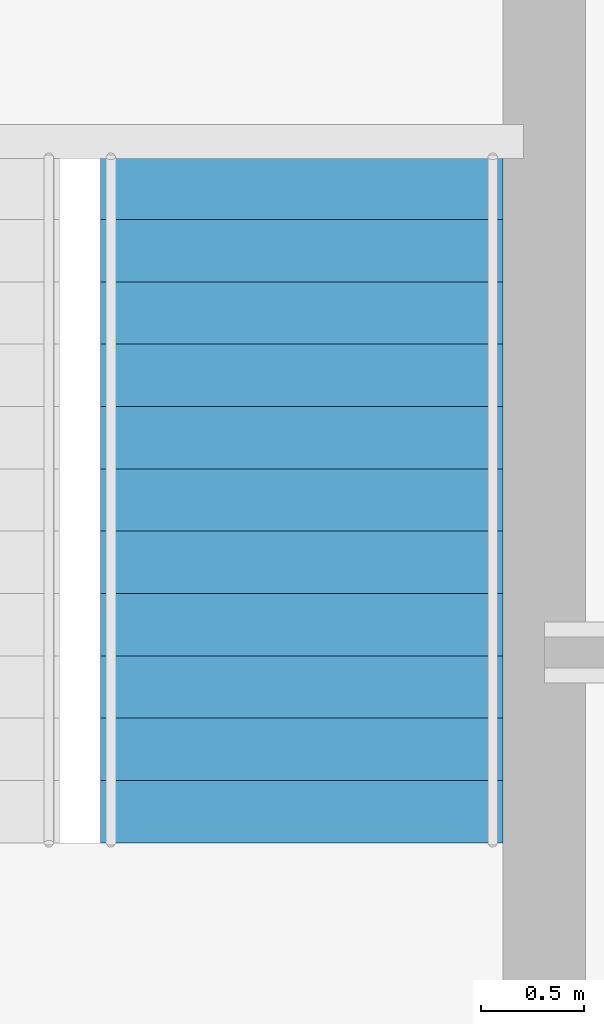
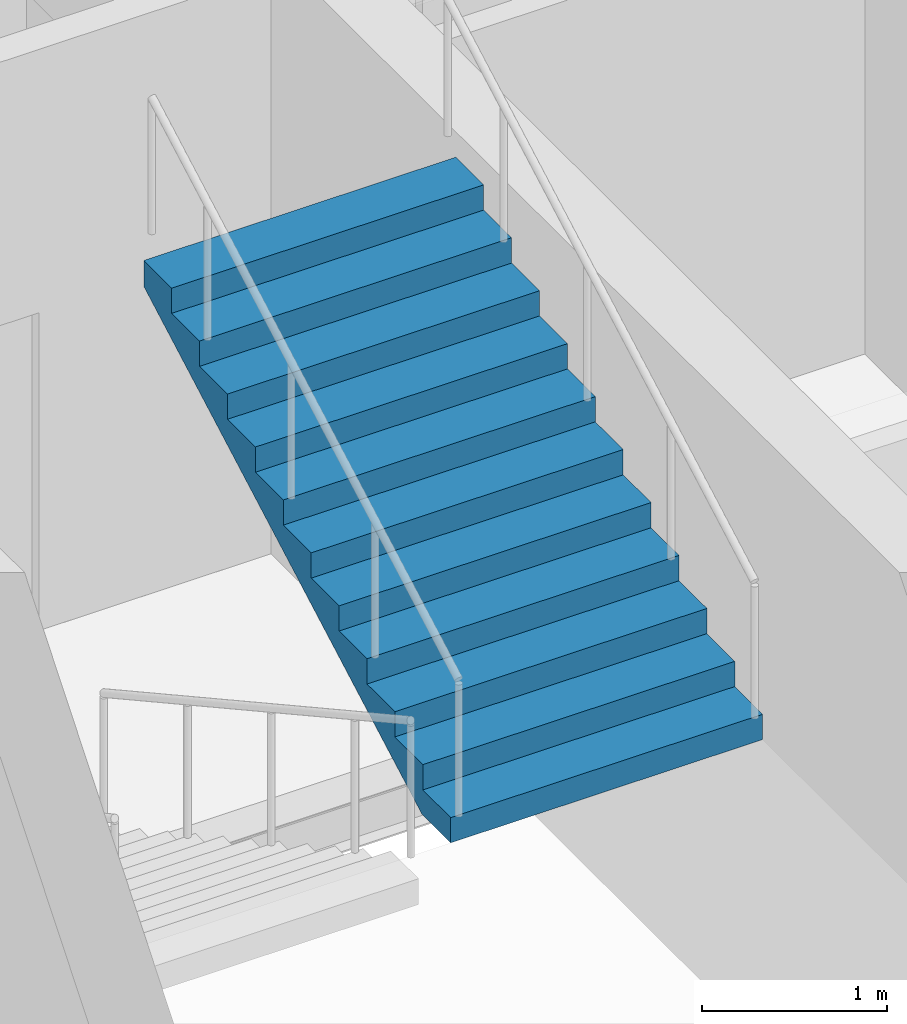
# One storey, part 12 of 14: 1 stair flight, 1 element without a shape of its own.
"""IFC4 building model written with IfcOpenShell, lengths in metres."""

from ifc_helpers import new_model, si_unit, direction, frame, origin, place, context, subcontext, project, spatial, polyline, outline, extrude, material, type_object, element, aggregate, save


model = new_model("IFC4")

# Units and contexts
model_context = context("Model", 3, precision=1e-05, world=origin(), true_north=direction((0.0, 1.0)))
body_context = subcontext(model_context, "Body", "Model", "MODEL_VIEW")
ifc_project = project(units=[si_unit("LENGTHUNIT", "METRE"), si_unit("AREAUNIT", "SQUARE_METRE"), si_unit("VOLUMEUNIT", "CUBIC_METRE"), si_unit("PLANEANGLEUNIT", "RADIAN"), si_unit("MASSUNIT", "GRAM", prefix="KILO")], contexts=[model_context])

# Site, building, storey
site_placement = place(None, origin())
site = spatial("IfcSite", under=ifc_project, at=site_placement, CompositionType="ELEMENT")
building_placement = place(site_placement, origin())
building = spatial("IfcBuilding", under=site, at=building_placement, Name="Corais Broadcast Tower", CompositionType="ELEMENT")
storey_placement = place(building_placement, frame((0.0, 0.0, 286.60009765625)))
storey = spatial("IfcBuildingStorey", under=building, at=storey_placement, Name="L67", CompositionType="ELEMENT", Elevation=286.60009765625)

# Stair, stair flight
ifc_material_1 = material(Name="Concrete C30/37", Category="concrete")
stair_type = type_object("IfcStairType", Name="Half-turn stair 4000", PredefinedType="HALF_TURN_STAIR", material=ifc_material_1)
stair_placement = place(storey_placement, origin())
stair = element("IfcStair", 1, at=stair_placement, inside=storey, type_object=stair_type, Name="Stair B L67", PredefinedType="HALF_TURN_STAIR")
ifc_material_2 = material(Name="Concrete C30/37", Category="concrete")
stair_flight_type = type_object("IfcStairFlightType", Name="Stair flight 4000", PredefinedType="STRAIGHT", material=ifc_material_2)
stair_flight_placement = place(storey_placement, frame((39.324951171875, 26.077880859375, 2.0), z_axis=(0.0, 0.0, 1.0), x_axis=(0.0, 1.0, 0.0)))
stair_flight = element("IfcStairFlight", 2, at=stair_flight_placement, type_object=stair_flight_type, Name="STB flight 2", NumberOfRisers=12, NumberOfTreads=11, PredefinedType="STRAIGHT", RiserHeight=0.166666667, TreadLength=0.302, context=body_context, shape_type="SweptSolid", body=[
    extrude(outline(polyline([(0.0, 0.0), (0.0, 0.166748046875), (0.302001953125, 0.166748046875), (0.302001953125, 0.333251953125), (0.60400390625, 0.333251953125), (0.60400390625, 0.5), (0.906005859375, 0.5), (0.906005859375, 0.666748046875), (1.2080078125, 0.666748046875), (1.2080078125, 0.833251953125), (1.510009765625, 0.833251953125), (1.510009765625, 1.0), (1.81201171875, 1.0), (1.81201171875, 1.166748046875), (2.114013671875, 1.166748046875), (2.114013671875, 1.333251953125), (2.416015625, 1.333251953125), (2.416015625, 1.5), (2.718017578125, 1.5), (2.718017578125, 1.666748046875), (3.02001953125, 1.666748046875), (3.02001953125, 1.833251953125), (3.322021484375, 1.833251953125), (3.322021484375, 2.0), (3.322021484375, 1.662109375), (0.310302734375, 0.0), (0.0, 0.0)])), frame((0.0, 0.97509765625, 0.0), z_axis=(0.0, -1.0, 0.0), x_axis=(1.0, 0.0, 0.0)), (0.0, 0.0, 1.0), 1.949951171875),
])
aggregate(stair, [stair_flight])

save(model, "model.ifc")
